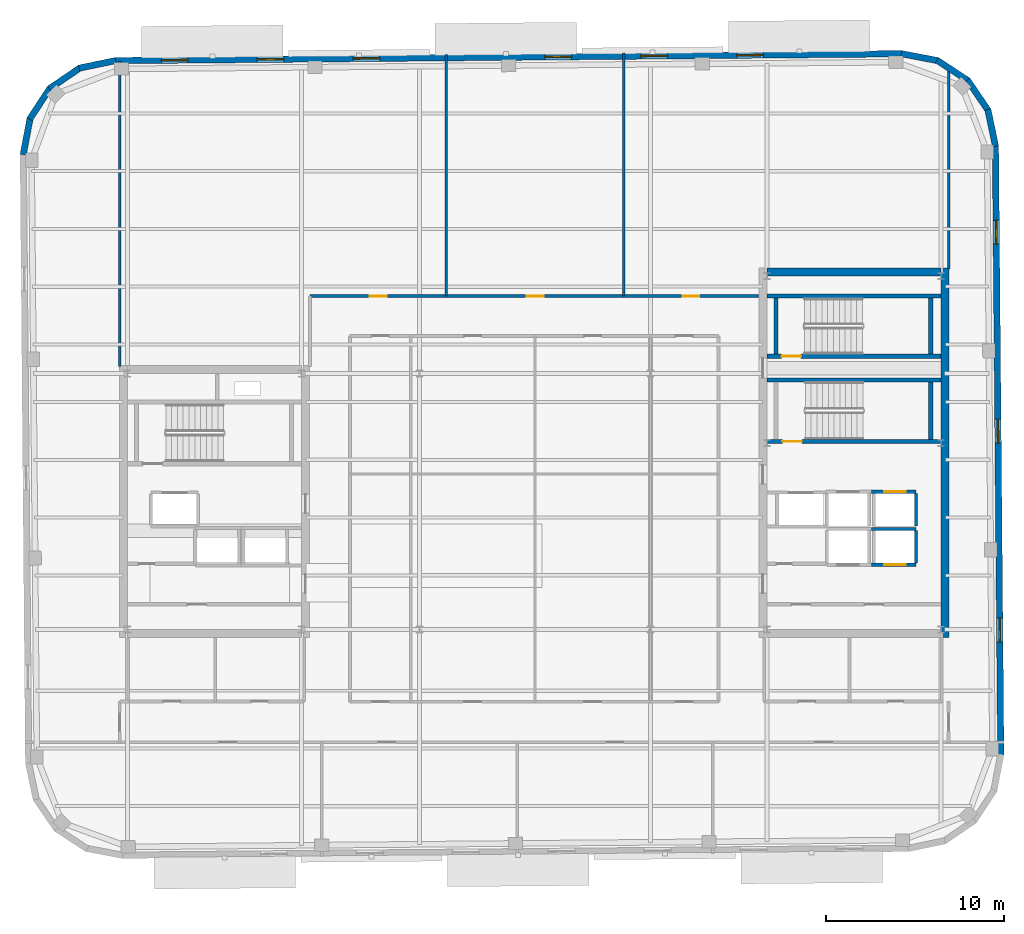
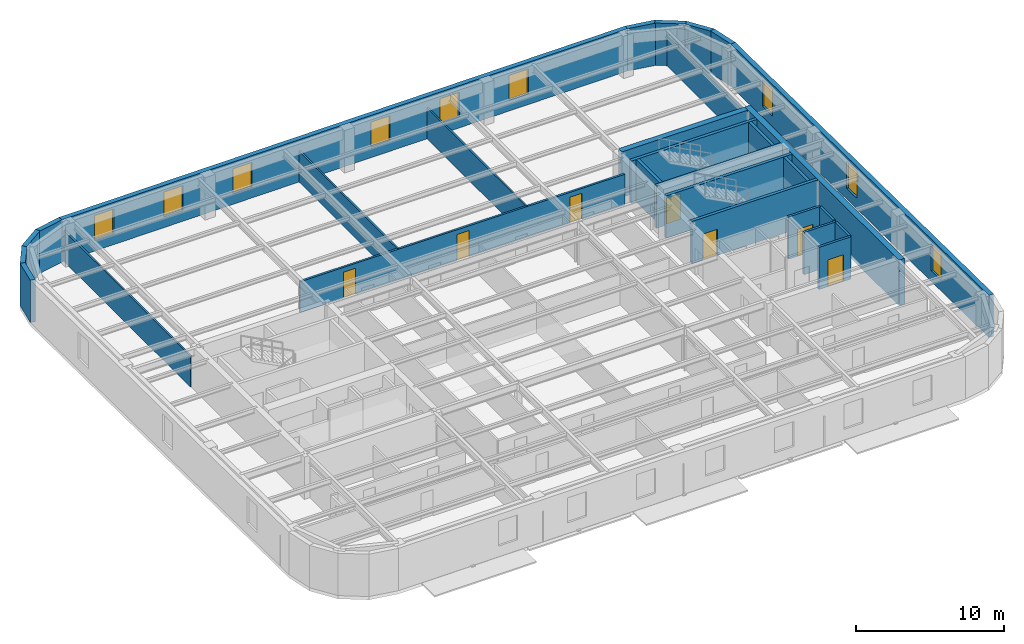
# One storey, part 9 of 14: 29 walls, 9 windows, 7 doors, 16 openings.
"""IFC4 building model written with IfcOpenShell, lengths in metres."""

import ifcopenshell
import ifcopenshell.guid

model = None  # the IFC model being written
_history = None  # IfcOwnerHistory: only IFC2X3 demands one
_inside = {}  # id of a spatial element -> (the spatial element, [elements in it])
_under = {}  # id of a project, library or spatial element -> (it, [spatial elements below it])
_declared = {}  # id of a project -> (the project, [libraries it declares])
_typed = {}  # id of a type object -> (the type object, [elements of that type])
_made_of = {}  # id of a material, layer set ... -> (it, [elements and type objects made of it])


def new_model(schema):
    """Start an empty IFC model of exactly this schema.

    Asked for "IFC4X3", IfcOpenShell would pick the latest addendum, in which some entities
    have other attributes; the version numbers below select the first issue.
    IFC2X3 requires an IfcOwnerHistory on every rooted entity: one is made here for all.
    """
    global model, _history
    if schema == "IFC4X3":
        model = ifcopenshell.file(schema_version=(4, 3, 0, 0))
    else:
        model = ifcopenshell.file(schema=schema)
    _inside.clear()
    _under.clear()
    _declared.clear()
    _typed.clear()
    _made_of.clear()
    _history = None
    if model.schema == "IFC2X3":
        org = make("IfcOrganization", Name="unknown")
        user = make(
            "IfcPersonAndOrganization",
            ThePerson=make("IfcPerson", FamilyName="unknown"),
            TheOrganization=org,
        )
        app = make(
            "IfcApplication",
            ApplicationDeveloper=org,
            Version="unknown",
            ApplicationFullName="unknown",
            ApplicationIdentifier="unknown",
        )
        _history = make(
            "IfcOwnerHistory",
            OwningUser=user,
            OwningApplication=app,
            ChangeAction="ADDED",
            CreationDate=0,
        )
    return model


def make(cls, **values):
    """One entity of the class cls with the attributes given. An attribute that is None is left unset."""
    return model.create_entity(
        cls, **{name: value for name, value in values.items() if value is not None}
    )


def rooted(cls, **values):
    """An entity with a GlobalId (a new one), such as an element, a storey or a relation."""
    return make(cls, GlobalId=ifcopenshell.guid.new(), OwnerHistory=_history, **values)


def si_unit(unit_type, name, prefix=None):
    """IfcSIUnit, for example si_unit("LENGTHUNIT", "METRE", prefix="MILLI")."""
    return make("IfcSIUnit", UnitType=unit_type, Prefix=prefix, Name=name)


def assignment(units):
    """IfcUnitAssignment: the units of a project."""
    return None if units is None else make("IfcUnitAssignment", Units=units)


def point(xyz):
    """IfcCartesianPoint."""
    return None if xyz is None else make("IfcCartesianPoint", Coordinates=xyz)


def direction(xyz):
    """IfcDirection."""
    return None if xyz is None else make("IfcDirection", DirectionRatios=xyz)


def frame(location, z_axis=None, x_axis=None):
    """IfcAxis2Placement3D, a coordinate frame: its origin and axes. An axis left out is left unset."""
    return make(
        "IfcAxis2Placement3D",
        Location=point(location),
        Axis=direction(z_axis),
        RefDirection=direction(x_axis),
    )


def frame_2d(location, x_axis=None):
    """IfcAxis2Placement2D, a coordinate frame in the plane: its origin and x axis."""
    return make(
        "IfcAxis2Placement2D", Location=point(location), RefDirection=direction(x_axis)
    )


def origin():
    """The frame at (0, 0, 0) with its axes left unset."""
    return frame((0.0, 0.0, 0.0))


def place(relative_to, where):
    """IfcLocalPlacement: puts the frame where relative to a parent placement (None: the world)."""
    return make(
        "IfcLocalPlacement", PlacementRelTo=relative_to, RelativePlacement=where
    )


def context(
    kind, dimensions, precision=None, world=None, true_north=None, identifier=None
):
    """IfcGeometricRepresentationContext, for example the 3D "Model" context."""
    return make(
        "IfcGeometricRepresentationContext",
        ContextIdentifier=identifier,
        ContextType=kind,
        CoordinateSpaceDimension=dimensions,
        Precision=precision,
        WorldCoordinateSystem=world,
        TrueNorth=true_north,
    )


def subcontext(parent, identifier, kind, view, scale=None):
    """IfcGeometricRepresentationSubContext, for example "Body" below "Model"."""
    return make(
        "IfcGeometricRepresentationSubContext",
        ContextIdentifier=identifier,
        ContextType=kind,
        ParentContext=parent,
        TargetScale=scale,
        TargetView=view,
    )


def project(units=None, contexts=None):
    """IfcProject with its units and contexts."""
    return rooted(
        "IfcProject",
        Name="project",
        RepresentationContexts=contexts,
        UnitsInContext=assignment(units),
    )


def spatial(cls, under=None, at=None, **own):
    """A site, building, storey or space (cls), placed at a placement, below another one or the project."""
    s = rooted(cls, ObjectPlacement=at, **own)
    if under is not None:
        _under.setdefault(under.id(), (under, []))[1].append(s)
    return s


def profile(cls, at=None, kind="AREA", **sizes):
    """A parametric profile (cls). Its sizes go by their IFC names, for example OverallWidth=200.0."""
    return make(cls, ProfileType=kind, Position=at, **sizes)


def rectangle(**sizes):
    """IfcRectangleProfileDef."""
    return profile("IfcRectangleProfileDef", **sizes)


def extrude(swept, where, along, depth):
    """IfcExtrudedAreaSolid: the profile swept, set in the frame where, extruded along a direction by depth."""
    return make(
        "IfcExtrudedAreaSolid",
        SweptArea=swept,
        Position=where,
        ExtrudedDirection=direction(along),
        Depth=depth,
    )


def shape(context_of_items, identifier, shape_type, items):
    """IfcShapeRepresentation: the items that make up one representation, for example the "Body"."""
    return make(
        "IfcShapeRepresentation",
        ContextOfItems=context_of_items,
        RepresentationIdentifier=identifier,
        RepresentationType=shape_type,
        Items=items,
    )


def material(Name=None, Category=None):
    """IfcMaterial."""
    return make("IfcMaterial", Name=Name, Category=Category)


def layer(
    of_material, thickness, ventilated=None, Name=None, Category=None, Priority=None
):
    """IfcMaterialLayer: one layer of a wall or slab, of a material (None: an air gap)."""
    return make(
        "IfcMaterialLayer",
        Material=of_material,
        LayerThickness=thickness,
        IsVentilated=ventilated,
        Name=Name,
        Category=Category,
        Priority=Priority,
    )


def layer_set(layers, Name=None):
    """IfcMaterialLayerSet."""
    return make("IfcMaterialLayerSet", MaterialLayers=layers, LayerSetName=Name)


def made_of(thing, what):
    """Note that an element or type object is made of a material, layer set ...; save() writes the relation."""
    if what is not None:
        _made_of.setdefault(what.id(), (what, []))[1].append(thing)
    return thing


def type_object(cls, material=None, **own):
    """A type object (cls), such as IfcWallType, which elements share."""
    return made_of(rooted(cls, **own), material)


def element(
    cls,
    number,
    at=None,
    inside=None,
    cuts=None,
    type_object=None,
    material=None,
    context=None,
    identifier="Body",
    shape_type=None,
    held_by="IfcProductDefinitionShape",
    body=None,
    shapes=None,
    **own,
):
    """One element of the class cls, such as IfcWall. Its Tag is "e" and its number.

    at: its placement. inside: the storey or other place that contains it. cuts: it is an
    opening in that element (IfcRelVoidsElement). A single representation is given by context,
    identifier, shape_type and body (its items); several are given by shapes. held_by: the class
    of the entity that holds the representations. save() writes the other relations.
    """
    e = rooted(cls, Tag="e%d" % number, ObjectPlacement=at, **own)
    if body is not None:
        shapes = [shape(context, identifier, shape_type, body)]
    if shapes is not None:
        e.Representation = make(held_by, Representations=shapes)
    if inside is not None:
        _inside.setdefault(inside.id(), (inside, []))[1].append(e)
    if cuts is not None:
        rooted(
            "IfcRelVoidsElement", RelatingBuildingElement=cuts, RelatedOpeningElement=e
        )
    if type_object is not None:
        _typed.setdefault(type_object.id(), (type_object, []))[1].append(e)
    return made_of(e, material)


def fill(opening, filler):
    """IfcRelFillsElement: the door or window that sits in an opening."""
    return rooted(
        "IfcRelFillsElement",
        RelatingOpeningElement=opening,
        RelatedBuildingElement=filler,
    )


def aggregate(whole, parts):
    """IfcRelAggregates: a whole, such as a stair, and the parts it consists of."""
    return rooted("IfcRelAggregates", RelatingObject=whole, RelatedObjects=parts)


def save(model, path):
    """Write the relations noted so far, then the file.

    IfcRelAggregates (storeys below a building ...), IfcRelContainedInSpatialStructure (elements
    in a storey), IfcRelDefinesByType, IfcRelAssociatesMaterial and IfcRelDeclares: one each for
    every whole, place, type object, material and project.
    """
    for whole, parts in _under.values():
        aggregate(whole, parts)
    for where, things in _inside.values():
        rooted(
            "IfcRelContainedInSpatialStructure",
            RelatedElements=things,
            RelatingStructure=where,
        )
    for kind, things in _typed.values():
        rooted("IfcRelDefinesByType", RelatedObjects=things, RelatingType=kind)
    for what, things in _made_of.values():
        rooted("IfcRelAssociatesMaterial", RelatedObjects=things, RelatingMaterial=what)
    for by, libraries in _declared.values():
        rooted("IfcRelDeclares", RelatingContext=by, RelatedDefinitions=libraries)
    model.write(path)


model = new_model("IFC4")

# Units and contexts
model_context = context("Model", 3, precision=1e-05, world=origin(), true_north=direction((0.0, 1.0)))
body_context = subcontext(model_context, "Body", "Model", "MODEL_VIEW")
ifc_project = project(units=[si_unit("LENGTHUNIT", "METRE"), si_unit("AREAUNIT", "SQUARE_METRE"), si_unit("VOLUMEUNIT", "CUBIC_METRE"), si_unit("PLANEANGLEUNIT", "RADIAN"), si_unit("MASSUNIT", "GRAM", prefix="KILO")], contexts=[model_context])

# Site, building, storey
site_placement = place(None, origin())
site = spatial("IfcSite", under=ifc_project, at=site_placement, CompositionType="ELEMENT")
building_placement = place(site_placement, origin())
building = spatial("IfcBuilding", under=site, at=building_placement, Name="Kolvaren Arena Tower", CompositionType="ELEMENT")
storey_placement = place(building_placement, frame((0.0, 0.0, 289.89990234375)))
storey = spatial("IfcBuildingStorey", under=building, at=storey_placement, Name="L71", CompositionType="ELEMENT", Elevation=289.89990234375)

# Wall, openings, doors
ifc_material_1 = material(Name="Gypsum board acoustic assembly", Category="gypsum")
ifc_layer_1 = layer(ifc_material_1, 0.159912109375)
ifc_layer_set_1 = layer_set([ifc_layer_1], Name="Gypsum board acoustic assembly")
wall_type_1 = type_object("IfcWallType", Name="CORR-160", PredefinedType="PARTITIONING", material=ifc_layer_set_1)
wall_1_placement = place(storey_placement, frame((24.820068359375, 38.219970703125, 0.0), z_axis=(0.0, 0.0, 1.0), x_axis=(1.0, 0.0, 0.0)))
wall_1 = element("IfcWall", 1, at=wall_1_placement, inside=storey, type_object=wall_type_1, Name="Interior Partition Wall (L71)", PredefinedType="PARTITIONING", context=body_context, shape_type="SweptSolid", body=[
    extrude(rectangle(XDim=25.260009765625, YDim=0.159912109375, at=frame_2d((12.6298828125, 0.0))), origin(), (0.0, 0.0, 1.0), 2.5400390625),
])
opening_1_placement = place(wall_1_placement, frame((3.3798828125, 0.0, 0.0)))
opening_1 = element("IfcOpeningElement", 2, at=opening_1_placement, cuts=wall_1, Name="Opening D05", PredefinedType="OPENING", context=body_context, shape_type="SweptSolid", body=[
    extrude(rectangle(XDim=0.949951171875, YDim=2.14990234375, at=frame_2d((0.47509765625, 1.074951171875))), frame((0.0, 0.08984375, 0.0), z_axis=(0.0, -1.0, 0.0), x_axis=(1.0, 0.0, 0.0)), (0.0, 0.0, 1.0), 0.179931640625),
])
opening_2_placement = place(wall_1_placement, frame((12.205078125, 0.0, 0.0)))
opening_2 = element("IfcOpeningElement", 3, at=opening_2_placement, cuts=wall_1, Name="Opening D05", PredefinedType="OPENING", context=body_context, shape_type="SweptSolid", body=[
    extrude(rectangle(XDim=0.949951171875, YDim=2.14990234375, at=frame_2d((0.47509765625, 1.074951171875))), frame((0.0, 0.08984375, 0.0), z_axis=(0.0, -1.0, 0.0), x_axis=(1.0, 0.0, 0.0)), (0.0, 0.0, 1.0), 0.179931640625),
])
opening_3_placement = place(wall_1_placement, frame((20.97998046875, 0.0, 0.0)))
opening_3 = element("IfcOpeningElement", 4, at=opening_3_placement, cuts=wall_1, Name="Opening D05", PredefinedType="OPENING", context=body_context, shape_type="SweptSolid", body=[
    extrude(rectangle(XDim=0.949951171875, YDim=2.14990234375, at=frame_2d((0.47509765625, 1.074951171875))), frame((0.0, 0.08984375, 0.0), z_axis=(0.0, -1.0, 0.0), x_axis=(1.0, 0.0, 0.0)), (0.0, 0.0, 1.0), 0.179931640625),
])
ifc_material_2 = material(Name="Solid-core oak acoustic office door", Category="wood")
door_type_1 = type_object("IfcDoorType", Name="DOOR-OF-095", OperationType="NOTDEFINED", PredefinedType="DOOR", material=ifc_material_2)
door_1_placement = place(opening_1_placement, origin())
door_1 = element("IfcDoor", 5, at=door_1_placement, inside=storey, type_object=door_type_1, Name="Corporate Project Office Door (L71)", OperationType="SINGLE_SWING_LEFT", OverallHeight=2.14990234375, OverallWidth=0.949951171875, PredefinedType="DOOR", context=body_context, shape_type="SweptSolid", body=[
    extrude(rectangle(XDim=0.949951171875, YDim=2.14990234375, at=frame_2d((0.47509765625, 1.074951171875))), frame((0.0, 0.02490234375, 0.0), z_axis=(0.0, -1.0, 0.0), x_axis=(1.0, 0.0, 0.0)), (0.0, 0.0, 1.0), 0.050048828125),
])
fill(opening_1, door_1)
door_2_placement = place(opening_2_placement, origin())
door_2 = element("IfcDoor", 6, at=door_2_placement, inside=storey, type_object=door_type_1, Name="Breakout Pantry and Kitchen Door (L71)", OperationType="SINGLE_SWING_RIGHT", OverallHeight=2.14990234375, OverallWidth=0.949951171875, PredefinedType="DOOR", context=body_context, shape_type="SweptSolid", body=[
    extrude(rectangle(XDim=0.949951171875, YDim=2.14990234375, at=frame_2d((0.47509765625, 1.074951171875))), frame((0.0, 0.02490234375, 0.0), z_axis=(0.0, -1.0, 0.0), x_axis=(1.0, 0.0, 0.0)), (0.0, 0.0, 1.0), 0.050048828125),
])
fill(opening_2, door_2)
door_3_placement = place(opening_3_placement, origin())
door_3 = element("IfcDoor", 7, at=door_3_placement, inside=storey, type_object=door_type_1, Name="Open Plan Office Door (L71)", OperationType="SINGLE_SWING_LEFT", OverallHeight=2.14990234375, OverallWidth=0.949951171875, PredefinedType="DOOR", context=body_context, shape_type="SweptSolid", body=[
    extrude(rectangle(XDim=0.949951171875, YDim=2.14990234375, at=frame_2d((0.47509765625, 1.074951171875))), frame((0.0, 0.02490234375, 0.0), z_axis=(0.0, -1.0, 0.0), x_axis=(1.0, 0.0, 0.0)), (0.0, 0.0, 1.0), 0.050048828125),
])
fill(opening_3, door_3)

# Walls
ifc_material_3 = material(Name="Concrete 55 MPa", Category="concrete")
ifc_layer_2 = layer(ifc_material_3, 0.449951171875)
ifc_layer_set_2 = layer_set([ifc_layer_2], Name="Concrete 55 MPa")
wall_type_2 = type_object("IfcWallType", Name="CWALL-450", PredefinedType="SHEAR", material=ifc_layer_set_2)
wall_2_placement = place(storey_placement, frame((60.574951171875, 19.0, -0.27001953125), z_axis=(0.0, 0.0, 1.0), x_axis=(0.0, 1.0, 0.0)))
element("IfcWall", 8, at=wall_2_placement, inside=storey, type_object=wall_type_2, Name="Core Shear Wall EC-EAST (L71)", PredefinedType="SHEAR", context=body_context, shape_type="SweptSolid", body=[
    extrude(rectangle(XDim=20.800048828125, YDim=0.449951171875, at=frame_2d((10.39990234375, 0.0))), origin(), (0.0, 0.0, 1.0), 3.75),
])
wall_3_placement = place(storey_placement, frame((50.550048828125, 39.574951171875, -0.27001953125), z_axis=(0.0, 0.0, 1.0), x_axis=(1.0, 0.0, 0.0)))
element("IfcWall", 9, at=wall_3_placement, inside=storey, type_object=wall_type_2, Name="Core Shear Wall EC-NORTH (L71)", PredefinedType="SHEAR", context=body_context, shape_type="SweptSolid", body=[
    extrude(rectangle(XDim=9.800048828125, YDim=0.449951171875, at=frame_2d((4.89990234375, 0.0))), origin(), (0.0, 0.0, 1.0), 3.75),
])

# Wall, openings, windows
ifc_material_4 = material(Name="Precast concrete C50/60", Category="concrete")
ifc_layer_3 = layer(ifc_material_4, 0.360107421875)
ifc_layer_set_3 = layer_set([ifc_layer_3], Name="Precast concrete C50/60")
wall_type_3 = type_object("IfcWallType", Name="EXT-PIER2", PredefinedType="SOLIDWALL", material=ifc_layer_set_3)
wall_4_placement = place(storey_placement, frame((63.419189453125, 46.688232421875, 0.0), z_axis=(0.0, 0.0, 1.0), x_axis=(0.008726391715, -0.999961924319, 0.0)))
wall_4 = element("IfcWall", 10, at=wall_4_placement, inside=storey, type_object=wall_type_3, Name="Exterior Precast Masonry-Frame Wall (L71)", PredefinedType="SOLIDWALL", context=body_context, shape_type="SweptSolid", body=[
    extrude(rectangle(XDim=34.300048828125, YDim=0.360107421875, at=frame_2d((17.14990234375, 0.0))), origin(), (0.0, 0.0, 1.0), 3.47998046875),
])
opening_4_placement = place(wall_4_placement, frame((4.199951171875, 0.0, 0.8798828125)))
opening_4 = element("IfcOpeningElement", 11, at=opening_4_placement, cuts=wall_4, Name="Opening W04", PredefinedType="OPENING", context=body_context, shape_type="SweptSolid", body=[
    extrude(rectangle(XDim=1.35009765625, YDim=2.199951171875, at=frame_2d((0.675048828125, 1.10009765625))), frame((0.0, 0.18994140625, 0.0), z_axis=(0.0, -1.0, 0.0), x_axis=(1.0, 0.0, 0.0)), (0.0, 0.0, 1.0), 0.380126953125),
])
opening_5_placement = place(wall_4_placement, frame((15.39990234375, 0.0, 0.8798828125)))
opening_5 = element("IfcOpeningElement", 12, at=opening_5_placement, cuts=wall_4, Name="Opening W04", PredefinedType="OPENING", context=body_context, shape_type="SweptSolid", body=[
    extrude(rectangle(XDim=1.35009765625, YDim=2.199951171875, at=frame_2d((0.675048828125, 1.10009765625))), frame((0.0, 0.18994140625, 0.0), z_axis=(0.0, -1.0, 0.0), x_axis=(1.0, 0.0, 0.0)), (0.0, 0.0, 1.0), 0.380126953125),
])
opening_6_placement = place(wall_4_placement, frame((26.60009765625, 0.0, 0.8798828125)))
opening_6 = element("IfcOpeningElement", 13, at=opening_6_placement, cuts=wall_4, Name="Opening W04", PredefinedType="OPENING", context=body_context, shape_type="SweptSolid", body=[
    extrude(rectangle(XDim=1.35009765625, YDim=2.199951171875, at=frame_2d((0.675048828125, 1.10009765625))), frame((0.0, 0.18994140625, 0.0), z_axis=(0.0, -1.0, 0.0), x_axis=(1.0, 0.0, 0.0)), (0.0, 0.0, 1.0), 0.380126953125),
])
ifc_material_5 = material(Name="Triple-glazed curved-facet corner window", Category="glass")
window_type_1 = type_object("IfcWindowType", Name="WIN-CRN-A", PartitioningType="SINGLE_PANEL", PredefinedType="WINDOW", material=ifc_material_5)
window_1_placement = place(opening_4_placement, origin())
window_1 = element("IfcWindow", 14, at=window_1_placement, inside=storey, type_object=window_type_1, Name="End-Wall Punched Window (L71)", OverallHeight=2.199951171875, OverallWidth=1.35009765625, PartitioningType="SINGLE_PANEL", PredefinedType="WINDOW", context=body_context, shape_type="SweptSolid", body=[
    extrude(rectangle(XDim=1.35009765625, YDim=2.199951171875, at=frame_2d((0.675048828125, 1.10009765625))), frame((0.0, 0.030029296875, 0.0), z_axis=(0.0, -1.0, 0.0), x_axis=(1.0, 0.0, 0.0)), (0.0, 0.0, 1.0), 0.06005859375),
])
fill(opening_4, window_1)
window_2_placement = place(opening_5_placement, origin())
window_2 = element("IfcWindow", 15, at=window_2_placement, inside=storey, type_object=window_type_1, Name="End-Wall Punched Window (L71)", OverallHeight=2.199951171875, OverallWidth=1.35009765625, PartitioningType="SINGLE_PANEL", PredefinedType="WINDOW", context=body_context, shape_type="SweptSolid", body=[
    extrude(rectangle(XDim=1.35009765625, YDim=2.199951171875, at=frame_2d((0.675048828125, 1.10009765625))), frame((0.0, 0.030029296875, 0.0), z_axis=(0.0, -1.0, 0.0), x_axis=(1.0, 0.0, 0.0)), (0.0, 0.0, 1.0), 0.06005859375),
])
fill(opening_5, window_2)
window_3_placement = place(opening_6_placement, origin())
window_3 = element("IfcWindow", 16, at=window_3_placement, inside=storey, type_object=window_type_1, Name="End-Wall Punched Window (L71)", OverallHeight=2.199951171875, OverallWidth=1.35009765625, PartitioningType="SINGLE_PANEL", PredefinedType="WINDOW", context=body_context, shape_type="SweptSolid", body=[
    extrude(rectangle(XDim=1.35009765625, YDim=2.199951171875, at=frame_2d((0.675048828125, 1.10009765625))), frame((0.0, 0.030029296875, 0.0), z_axis=(0.0, -1.0, 0.0), x_axis=(1.0, 0.0, 0.0)), (0.0, 0.0, 1.0), 0.06005859375),
])
fill(opening_6, window_3)

# Walls
for number, where, z_axis, x_axis, name in (
    (17, (62.993896484375, 48.7158203125, 0.0), (0.0, 0.0, 1.0), (0.203709000552, -0.979031482177, 0.0), "Exterior Precast Masonry-Frame Wall (L71)"),
    (18, (61.835693359375, 50.392822265625, 0.0), (0.0, 0.0, 1.0), (0.562829722645, -0.826572866302, 0.0), "Exterior Precast Masonry-Frame Wall (L71)"),
):
    element("IfcWall", number, at=place(storey_placement, frame(where, z_axis=z_axis, x_axis=x_axis)), inside=storey, type_object=wall_type_3, Name=name, PredefinedType="SOLIDWALL", context=body_context, shape_type="SweptSolid", body=[
        extrude(rectangle(XDim=2.10693359375, YDim=0.360107421875, at=frame_2d((1.053466796875, 0.0))), origin(), (0.0, 0.0, 1.0), 3.47998046875),
    ])
for number, where, z_axis, x_axis, name in (
    (19, (60.123779296875, 51.498779296875, 0.0), (0.0, 0.0, 1.0), (0.83632188969, -0.548238722478, 0.0), "Exterior Precast Masonry-Frame Wall (L71)"),
    (20, (58.118896484375, 51.865478515625, 0.0), (0.0, 0.0, 1.0), (0.982463107022, -0.186457081764, 0.0), "Exterior Precast Masonry-Frame Wall (L71)"),
):
    element("IfcWall", number, at=place(storey_placement, frame(where, z_axis=z_axis, x_axis=x_axis)), inside=storey, type_object=wall_type_3, Name=name, PredefinedType="SOLIDWALL", context=body_context, shape_type="SweptSolid", body=[
        extrude(rectangle(XDim=2.106689453125, YDim=0.360107421875, at=frame_2d((1.05322265625, 0.0))), origin(), (0.0, 0.0, 1.0), 3.47998046875),
    ])

# Wall, openings, windows
wall_5_placement = place(storey_placement, frame((13.855712890625, 51.475830078125, 0.0), z_axis=(0.0, 0.0, 1.0), x_axis=(0.999961944954, 0.008724026757, 0.0)))
wall_5 = element("IfcWall", 21, at=wall_5_placement, inside=storey, type_object=wall_type_3, Name="Exterior Precast Masonry-Frame Wall (L71)", PredefinedType="SOLIDWALL", context=body_context, shape_type="SweptSolid", body=[
    extrude(rectangle(XDim=44.300048828125, YDim=0.360107421875, at=frame_2d((22.14990234375, 0.0))), origin(), (0.0, 0.0, 1.0), 3.47998046875),
])
opening_7_placement = place(wall_5_placement, frame((2.60009765625, 0.0, 0.8798828125)))
opening_7 = element("IfcOpeningElement", 22, at=opening_7_placement, cuts=wall_5, Name="Opening W03", PredefinedType="OPENING", context=body_context, shape_type="SweptSolid", body=[
    extrude(rectangle(XDim=1.5, YDim=2.050048828125, at=frame_2d((0.75, 1.02490234375))), frame((0.0, 0.18994140625, 0.0), z_axis=(0.0, -1.0, 0.0), x_axis=(1.0, 0.0, 0.0)), (0.0, 0.0, 1.0), 0.380126953125),
])
opening_8_placement = place(wall_5_placement, frame((8.0, 0.0, 0.8798828125)))
opening_8 = element("IfcOpeningElement", 23, at=opening_8_placement, cuts=wall_5, Name="Opening W03", PredefinedType="OPENING", context=body_context, shape_type="SweptSolid", body=[
    extrude(rectangle(XDim=1.5, YDim=2.050048828125, at=frame_2d((0.75, 1.02490234375))), frame((0.0, 0.18994140625, 0.0), z_axis=(0.0, -1.0, 0.0), x_axis=(1.0, 0.0, 0.0)), (0.0, 0.0, 1.0), 0.380126953125),
])
opening_9_placement = place(wall_5_placement, frame((13.39990234375, 0.0, 0.8798828125)))
opening_9 = element("IfcOpeningElement", 24, at=opening_9_placement, cuts=wall_5, Name="Opening W03", PredefinedType="OPENING", context=body_context, shape_type="SweptSolid", body=[
    extrude(rectangle(XDim=1.5, YDim=2.050048828125, at=frame_2d((0.75, 1.02490234375))), frame((0.0, 0.18994140625, 0.0), z_axis=(0.0, -1.0, 0.0), x_axis=(1.0, 0.0, 0.0)), (0.0, 0.0, 1.0), 0.380126953125),
])
opening_10_placement = place(wall_5_placement, frame((24.199951171875, 0.0, 0.8798828125)))
opening_10 = element("IfcOpeningElement", 25, at=opening_10_placement, cuts=wall_5, Name="Opening W03", PredefinedType="OPENING", context=body_context, shape_type="SweptSolid", body=[
    extrude(rectangle(XDim=1.5, YDim=2.050048828125, at=frame_2d((0.75, 1.02490234375))), frame((0.0, 0.18994140625, 0.0), z_axis=(0.0, -1.0, 0.0), x_axis=(1.0, 0.0, 0.0)), (0.0, 0.0, 1.0), 0.380126953125),
])
opening_11_placement = place(wall_5_placement, frame((29.60009765625, 0.0, 0.8798828125)))
opening_11 = element("IfcOpeningElement", 26, at=opening_11_placement, cuts=wall_5, Name="Opening W03", PredefinedType="OPENING", context=body_context, shape_type="SweptSolid", body=[
    extrude(rectangle(XDim=1.5, YDim=2.050048828125, at=frame_2d((0.75, 1.02490234375))), frame((0.0, 0.18994140625, 0.0), z_axis=(0.0, -1.0, 0.0), x_axis=(1.0, 0.0, 0.0)), (0.0, 0.0, 1.0), 0.380126953125),
])
opening_12_placement = place(wall_5_placement, frame((35.0, 0.0, 0.8798828125)))
opening_12 = element("IfcOpeningElement", 27, at=opening_12_placement, cuts=wall_5, Name="Opening W03", PredefinedType="OPENING", context=body_context, shape_type="SweptSolid", body=[
    extrude(rectangle(XDim=1.5, YDim=2.050048828125, at=frame_2d((0.75, 1.02490234375))), frame((0.0, 0.18994140625, 0.0), z_axis=(0.0, -1.0, 0.0), x_axis=(1.0, 0.0, 0.0)), (0.0, 0.0, 1.0), 0.380126953125),
])
ifc_material_6 = material(Name="Triple-glazed low-E aluminium window", Category="aluminium")
window_type_2 = type_object("IfcWindowType", Name="WIN-OFF-C", PartitioningType="SINGLE_PANEL", PredefinedType="WINDOW", material=ifc_material_6)
window_4_placement = place(opening_7_placement, origin())
window_4 = element("IfcWindow", 28, at=window_4_placement, inside=storey, type_object=window_type_2, Name="Punched Precast-Pier Window (L71)", OverallHeight=2.050048828125, OverallWidth=1.5, PartitioningType="SINGLE_PANEL", PredefinedType="WINDOW", context=body_context, shape_type="SweptSolid", body=[
    extrude(rectangle(XDim=1.5, YDim=2.050048828125, at=frame_2d((0.75, 1.02490234375))), frame((0.0, 0.030029296875, 0.0), z_axis=(0.0, -1.0, 0.0), x_axis=(1.0, 0.0, 0.0)), (0.0, 0.0, 1.0), 0.06005859375),
])
fill(opening_7, window_4)
window_5_placement = place(opening_8_placement, origin())
window_5 = element("IfcWindow", 29, at=window_5_placement, inside=storey, type_object=window_type_2, Name="Punched Precast-Pier Window (L71)", OverallHeight=2.050048828125, OverallWidth=1.5, PartitioningType="SINGLE_PANEL", PredefinedType="WINDOW", context=body_context, shape_type="SweptSolid", body=[
    extrude(rectangle(XDim=1.5, YDim=2.050048828125, at=frame_2d((0.75, 1.02490234375))), frame((0.0, 0.030029296875, 0.0), z_axis=(0.0, -1.0, 0.0), x_axis=(1.0, 0.0, 0.0)), (0.0, 0.0, 1.0), 0.06005859375),
])
fill(opening_8, window_5)
window_6_placement = place(opening_9_placement, origin())
window_6 = element("IfcWindow", 30, at=window_6_placement, inside=storey, type_object=window_type_2, Name="Punched Precast-Pier Window (L71)", OverallHeight=2.050048828125, OverallWidth=1.5, PartitioningType="SINGLE_PANEL", PredefinedType="WINDOW", context=body_context, shape_type="SweptSolid", body=[
    extrude(rectangle(XDim=1.5, YDim=2.050048828125, at=frame_2d((0.75, 1.02490234375))), frame((0.0, 0.030029296875, 0.0), z_axis=(0.0, -1.0, 0.0), x_axis=(1.0, 0.0, 0.0)), (0.0, 0.0, 1.0), 0.06005859375),
])
fill(opening_9, window_6)
window_7_placement = place(opening_10_placement, origin())
window_7 = element("IfcWindow", 31, at=window_7_placement, inside=storey, type_object=window_type_2, Name="Punched Precast-Pier Window (L71)", OverallHeight=2.050048828125, OverallWidth=1.5, PartitioningType="SINGLE_PANEL", PredefinedType="WINDOW", context=body_context, shape_type="SweptSolid", body=[
    extrude(rectangle(XDim=1.5, YDim=2.050048828125, at=frame_2d((0.75, 1.02490234375))), frame((0.0, 0.030029296875, 0.0), z_axis=(0.0, -1.0, 0.0), x_axis=(1.0, 0.0, 0.0)), (0.0, 0.0, 1.0), 0.06005859375),
])
fill(opening_10, window_7)
window_8_placement = place(opening_11_placement, origin())
window_8 = element("IfcWindow", 32, at=window_8_placement, inside=storey, type_object=window_type_2, Name="Punched Precast-Pier Window (L71)", OverallHeight=2.050048828125, OverallWidth=1.5, PartitioningType="SINGLE_PANEL", PredefinedType="WINDOW", context=body_context, shape_type="SweptSolid", body=[
    extrude(rectangle(XDim=1.5, YDim=2.050048828125, at=frame_2d((0.75, 1.02490234375))), frame((0.0, 0.030029296875, 0.0), z_axis=(0.0, -1.0, 0.0), x_axis=(1.0, 0.0, 0.0)), (0.0, 0.0, 1.0), 0.06005859375),
])
fill(opening_11, window_8)
window_9_placement = place(opening_12_placement, origin())
window_9 = element("IfcWindow", 33, at=window_9_placement, inside=storey, type_object=window_type_2, Name="Punched Precast-Pier Window (L71)", OverallHeight=2.050048828125, OverallWidth=1.5, PartitioningType="SINGLE_PANEL", PredefinedType="WINDOW", context=body_context, shape_type="SweptSolid", body=[
    extrude(rectangle(XDim=1.5, YDim=2.050048828125, at=frame_2d((0.75, 1.02490234375))), frame((0.0, 0.030029296875, 0.0), z_axis=(0.0, -1.0, 0.0), x_axis=(1.0, 0.0, 0.0)), (0.0, 0.0, 1.0), 0.06005859375),
])
fill(opening_12, window_9)

# Walls
for number, where, z_axis, x_axis, name in (
    (34, (11.827880859375, 51.050537109375, 0.0), (0.0, 0.0, 1.0), (0.97905458633, 0.203597929717, 0.0), "Exterior Precast Masonry-Frame Wall (L71)"),
    (35, (10.15087890625, 49.89208984375, 0.0), (0.0, 0.0, 1.0), (0.826609569219, 0.56277581689, 0.0), "Exterior Precast Masonry-Frame Wall (L71)"),
):
    element("IfcWall", number, at=place(storey_placement, frame(where, z_axis=z_axis, x_axis=x_axis)), inside=storey, type_object=wall_type_3, Name=name, PredefinedType="SOLIDWALL", context=body_context, shape_type="SweptSolid", body=[
        extrude(rectangle(XDim=2.10693359375, YDim=0.360107421875, at=frame_2d((1.053466796875, 0.0))), origin(), (0.0, 0.0, 1.0), 3.47998046875),
    ])
for number, where, z_axis, x_axis, name in (
    (36, (9.044921875, 48.18017578125, 0.0), (0.0, 0.0, 1.0), (0.548266637224, 0.836303589916, 0.0), "Exterior Precast Masonry-Frame Wall (L71)"),
    (37, (8.67822265625, 46.17529296875, 0.0), (0.0, 0.0, 1.0), (0.186547695246, 0.982445905584, 0.0), "Exterior Precast Masonry-Frame Wall (L71)"),
):
    element("IfcWall", number, at=place(storey_placement, frame(where, z_axis=z_axis, x_axis=x_axis)), inside=storey, type_object=wall_type_3, Name=name, PredefinedType="SOLIDWALL", context=body_context, shape_type="SweptSolid", body=[
        extrude(rectangle(XDim=2.107177734375, YDim=0.360107421875, at=frame_2d((1.0537109375, 0.0))), origin(), (0.0, 0.0, 1.0), 3.47998046875),
    ])
ifc_material_7 = material(Name="Gypsum board partition assembly", Category="gypsum")
ifc_layer_4 = layer(ifc_material_7, 0.135009765625)
ifc_layer_set_4 = layer_set([ifc_layer_4], Name="Gypsum board partition assembly")
wall_type_4 = type_object("IfcWallType", Name="PART-135", PredefinedType="PARTITIONING", material=ifc_layer_set_4)
wall_6_placement = place(storey_placement, frame((32.5, 38.219970703125, 0.0), z_axis=(0.0, 0.0, 1.0), x_axis=(0.0, 1.0, 0.0)))
element("IfcWall", 38, at=wall_6_placement, inside=storey, type_object=wall_type_4, Name="Interior Partition Wall (L71)", PredefinedType="PARTITIONING", context=body_context, shape_type="SweptSolid", body=[
    extrude(rectangle(XDim=13.5986328125, YDim=0.135009765625, at=frame_2d((6.79931640625, 0.0))), origin(), (0.0, 0.0, 1.0), 2.5400390625),
])
wall_7_placement = place(storey_placement, frame((42.5, 38.219970703125, 0.0), z_axis=(0.0, 0.0, 1.0), x_axis=(0.0, 1.0, 0.0)))
element("IfcWall", 39, at=wall_7_placement, inside=storey, type_object=wall_type_4, Name="Interior Partition Wall (L71)", PredefinedType="PARTITIONING", context=body_context, shape_type="SweptSolid", body=[
    extrude(rectangle(XDim=13.685791015625, YDim=0.135009765625, at=frame_2d((6.8427734375, 0.0))), origin(), (0.0, 0.0, 1.0), 2.5400390625),
])
wall_8_placement = place(storey_placement, frame((14.1201171875, 34.25, 0.0), z_axis=(0.0, 0.0, 1.0), x_axis=(0.0, 1.0, 0.0)))
element("IfcWall", 40, at=wall_8_placement, inside=storey, type_object=wall_type_4, Name="Interior Partition Wall (L71)", PredefinedType="PARTITIONING", context=body_context, shape_type="SweptSolid", body=[
    extrude(rectangle(XDim=17.168212890625, YDim=0.135009765625, at=frame_2d((8.583984375, 0.0))), origin(), (0.0, 0.0, 1.0), 2.5400390625),
])
wall_9_placement = place(storey_placement, frame((60.780029296875, 39.75, 0.0), z_axis=(0.0, 0.0, 1.0), x_axis=(0.0, 1.0, 0.0)))
element("IfcWall", 41, at=wall_9_placement, inside=storey, type_object=wall_type_4, Name="Interior Partition Wall (L71)", PredefinedType="PARTITIONING", context=body_context, shape_type="SweptSolid", body=[
    extrude(rectangle(XDim=11.246826171875, YDim=0.135009765625, at=frame_2d((5.62353515625, 0.0))), origin(), (0.0, 0.0, 1.0), 2.5400390625),
])

# Wall, opening, door
ifc_material_8 = material(Name="Concrete 45 MPa", Category="concrete")
ifc_layer_5 = layer(ifc_material_8, 0.25)
ifc_layer_set_5 = layer_set([ifc_layer_5], Name="Concrete 45 MPa")
wall_type_5 = type_object("IfcWallType", Name="SHAFT-250", PredefinedType="SOLIDWALL", material=ifc_layer_set_5)
wall_10_placement = place(storey_placement, frame((60.35009765625, 30.030029296875, 0.0), z_axis=(0.0, 0.0, 1.0), x_axis=(-1.0, 0.0, 0.0)))
wall_10 = element("IfcWall", 42, at=wall_10_placement, inside=storey, type_object=wall_type_5, Name="Core Shaft Wall (L71)", PredefinedType="SOLIDWALL", context=body_context, shape_type="SweptSolid", body=[
    extrude(rectangle(XDim=9.800048828125, YDim=0.239990234375, at=frame_2d((4.89990234375, 0.0))), origin(), (0.0, 0.0, 1.0), 3.47998046875),
])
opening_13_placement = place(wall_10_placement, frame((7.830078125, 0.0, 0.0)))
opening_13 = element("IfcOpeningElement", 43, at=opening_13_placement, cuts=wall_10, Name="Opening D03", PredefinedType="OPENING", context=body_context, shape_type="SweptSolid", body=[
    extrude(rectangle(XDim=1.10009765625, YDim=2.14990234375, at=frame_2d((0.550048828125, 1.074951171875))), frame((0.0, 0.1298828125, 0.0), z_axis=(0.0, -1.0, 0.0), x_axis=(1.0, 0.0, 0.0)), (0.0, 0.0, 1.0), 0.260009765625),
])
ifc_material_9 = material(Name="Fire-rated steel exit stair door", Category="steel")
door_type_2 = type_object("IfcDoorType", Name="DOOR-ST-110", OperationType="NOTDEFINED", PredefinedType="DOOR", material=ifc_material_9)
door_4_placement = place(opening_13_placement, origin())
door_4 = element("IfcDoor", 44, at=door_4_placement, inside=storey, type_object=door_type_2, Name="Stair ST-E1 Fire Door (L71)", OperationType="SINGLE_SWING_LEFT", OverallHeight=2.14990234375, OverallWidth=1.10009765625, PredefinedType="DOOR", context=body_context, shape_type="SweptSolid", body=[
    extrude(rectangle(XDim=1.10009765625, YDim=2.14990234375, at=frame_2d((0.550048828125, 1.074951171875))), frame((0.0, 0.02490234375, 0.0), z_axis=(0.0, -1.0, 0.0), x_axis=(1.0, 0.0, 0.0)), (0.0, 0.0, 1.0), 0.050048828125),
])
fill(opening_13, door_4)

# Walls
wall_11_placement = place(storey_placement, frame((50.550048828125, 33.5, 0.0), z_axis=(0.0, 0.0, 1.0), x_axis=(1.0, 0.0, 0.0)))
element("IfcWall", 45, at=wall_11_placement, inside=storey, type_object=wall_type_5, Name="Core Shaft Wall (L71)", PredefinedType="SOLIDWALL", context=body_context, shape_type="SweptSolid", body=[
    extrude(rectangle(XDim=9.800048828125, YDim=0.239990234375, at=frame_2d((4.89990234375, 0.0))), origin(), (0.0, 0.0, 1.0), 3.47998046875),
])
wall_12_placement = place(storey_placement, frame((59.780029296875, 30.14990234375, 0.0), z_axis=(0.0, 0.0, 1.0), x_axis=(0.0, 1.0, 0.0)))
element("IfcWall", 46, at=wall_12_placement, inside=storey, type_object=wall_type_5, Name="Core Shaft Wall (L71)", PredefinedType="SOLIDWALL", context=body_context, shape_type="SweptSolid", body=[
    extrude(rectangle(XDim=3.22998046875, YDim=0.239990234375, at=frame_2d((1.614990234375, 0.0))), origin(), (0.0, 0.0, 1.0), 3.47998046875),
])

# Wall, opening, door
wall_13_placement = place(storey_placement, frame((60.35009765625, 34.830078125, 0.0), z_axis=(0.0, 0.0, 1.0), x_axis=(-1.0, 0.0, 0.0)))
wall_13 = element("IfcWall", 47, at=wall_13_placement, inside=storey, type_object=wall_type_5, Name="Core Shaft Wall (L71)", PredefinedType="SOLIDWALL", context=body_context, shape_type="SweptSolid", body=[
    extrude(rectangle(XDim=9.800048828125, YDim=0.239990234375, at=frame_2d((4.89990234375, 0.0))), origin(), (0.0, 0.0, 1.0), 3.47998046875),
])
opening_14_placement = place(wall_13_placement, frame((7.8701171875, 0.0, 0.0)))
opening_14 = element("IfcOpeningElement", 48, at=opening_14_placement, cuts=wall_13, Name="Opening D03", PredefinedType="OPENING", context=body_context, shape_type="SweptSolid", body=[
    extrude(rectangle(XDim=1.10009765625, YDim=2.14990234375, at=frame_2d((0.550048828125, 1.074951171875))), frame((0.0, 0.1298828125, 0.0), z_axis=(0.0, -1.0, 0.0), x_axis=(1.0, 0.0, 0.0)), (0.0, 0.0, 1.0), 0.260009765625),
])
door_5_placement = place(opening_14_placement, origin())
door_5 = element("IfcDoor", 49, at=door_5_placement, inside=storey, type_object=door_type_2, Name="Stair ST-E2 Fire Door (L71)", OperationType="SINGLE_SWING_LEFT", OverallHeight=2.14990234375, OverallWidth=1.10009765625, PredefinedType="DOOR", context=body_context, shape_type="SweptSolid", body=[
    extrude(rectangle(XDim=1.10009765625, YDim=2.14990234375, at=frame_2d((0.550048828125, 1.074951171875))), frame((0.0, 0.02490234375, 0.0), z_axis=(0.0, -1.0, 0.0), x_axis=(1.0, 0.0, 0.0)), (0.0, 0.0, 1.0), 0.050048828125),
])
fill(opening_14, door_5)

# Walls
wall_14_placement = place(storey_placement, frame((50.550048828125, 38.219970703125, 0.0), z_axis=(0.0, 0.0, 1.0), x_axis=(1.0, 0.0, 0.0)))
element("IfcWall", 50, at=wall_14_placement, inside=storey, type_object=wall_type_5, Name="Core Shaft Wall (L71)", PredefinedType="SOLIDWALL", context=body_context, shape_type="SweptSolid", body=[
    extrude(rectangle(XDim=9.800048828125, YDim=0.239990234375, at=frame_2d((4.89990234375, 0.0))), origin(), (0.0, 0.0, 1.0), 3.47998046875),
])
for number, where, z_axis, x_axis, name in (
    (51, (51.06005859375, 34.949951171875, 0.0), (0.0, 0.0, 1.0), (0.0, 1.0, 0.0), "Core Shaft Wall (L71)"),
    (52, (59.780029296875, 34.949951171875, 0.0), (0.0, 0.0, 1.0), (0.0, 1.0, 0.0), "Core Shaft Wall (L71)"),
):
    element("IfcWall", number, at=place(storey_placement, frame(where, z_axis=z_axis, x_axis=x_axis)), inside=storey, type_object=wall_type_5, Name=name, PredefinedType="SOLIDWALL", context=body_context, shape_type="SweptSolid", body=[
        extrude(rectangle(XDim=3.150146484375, YDim=0.239990234375, at=frame_2d((1.5751953125, 0.0))), origin(), (0.0, 0.0, 1.0), 3.47998046875),
    ])
wall_15_placement = place(storey_placement, frame((56.43994140625, 25.10498046875, 0.0), z_axis=(0.0, 0.0, 1.0), x_axis=(1.0, 0.0, 0.0)))
element("IfcWall", 53, at=wall_15_placement, inside=storey, type_object=wall_type_5, Name="Core Shaft Wall (L71)", PredefinedType="SOLIDWALL", context=body_context, shape_type="SweptSolid", body=[
    extrude(rectangle(XDim=2.5, YDim=0.179931640625, at=frame_2d((1.25, 0.0))), origin(), (0.0, 0.0, 1.0), 3.47998046875),
])

# Wall, opening, door
wall_16_placement = place(storey_placement, frame((56.43994140625, 23.094970703125, 0.0), z_axis=(0.0, 0.0, 1.0), x_axis=(1.0, 0.0, 0.0)))
wall_16 = element("IfcWall", 54, at=wall_16_placement, inside=storey, type_object=wall_type_5, Name="Core Shaft Wall (L71)", PredefinedType="SOLIDWALL", context=body_context, shape_type="SweptSolid", body=[
    extrude(rectangle(XDim=2.5, YDim=0.179931640625, at=frame_2d((1.25, 0.0))), origin(), (0.0, 0.0, 1.0), 3.47998046875),
])
opening_15_placement = place(wall_16_placement, frame((0.719970703125, 0.0, 0.0)))
opening_15 = element("IfcOpeningElement", 55, at=opening_15_placement, cuts=wall_16, Name="Opening LD1", PredefinedType="OPENING", context=body_context, shape_type="SweptSolid", body=[
    extrude(rectangle(XDim=1.199951171875, YDim=2.199951171875, at=frame_2d((0.60009765625, 1.10009765625))), frame((0.0, 0.099853515625, 0.0), z_axis=(0.0, -1.0, 0.0), x_axis=(1.0, 0.0, 0.0)), (0.0, 0.0, 1.0), 0.199951171875),
])
ifc_material_10 = material(Name="Stainless steel passenger lift landing door", Category="steel")
door_type_3 = type_object("IfcDoorType", Name="DOOR-LD-120", OperationType="DOUBLE_DOOR_SLIDING", PredefinedType="DOOR", material=ifc_material_10)
door_6_placement = place(opening_15_placement, origin())
door_6 = element("IfcDoor", 56, at=door_6_placement, inside=storey, type_object=door_type_3, Name="Lift EL-HR2 Landing Door (L71)", OperationType="DOUBLE_DOOR_SLIDING", OverallHeight=2.199951171875, OverallWidth=1.199951171875, PredefinedType="DOOR", context=body_context, shape_type="SweptSolid", body=[
    extrude(rectangle(XDim=1.199951171875, YDim=2.199951171875, at=frame_2d((0.60009765625, 1.10009765625))), frame((0.0, 0.02490234375, 0.0), z_axis=(0.0, -1.0, 0.0), x_axis=(1.0, 0.0, 0.0)), (0.0, 0.0, 1.0), 0.050048828125),
])
fill(opening_15, door_6)

# Wall
wall_17_placement = place(storey_placement, frame((58.93994140625, 23.18505859375, 0.0), z_axis=(0.0, 0.0, 1.0), x_axis=(0.0, 1.0, 0.0)))
element("IfcWall", 57, at=wall_17_placement, inside=storey, type_object=wall_type_5, Name="Core Shaft Wall (L71)", PredefinedType="SOLIDWALL", context=body_context, shape_type="SweptSolid", body=[
    extrude(rectangle(XDim=1.829833984375, YDim=0.179931640625, at=frame_2d((0.9150390625, 0.0))), origin(), (0.0, 0.0, 1.0), 3.47998046875),
])

# Wall, opening, door
wall_18_placement = place(storey_placement, frame((56.43994140625, 27.205078125, 0.0), z_axis=(0.0, 0.0, 1.0), x_axis=(1.0, 0.0, 0.0)))
wall_18 = element("IfcWall", 58, at=wall_18_placement, inside=storey, type_object=wall_type_5, Name="Core Shaft Wall (L71)", PredefinedType="SOLIDWALL", context=body_context, shape_type="SweptSolid", body=[
    extrude(rectangle(XDim=2.5, YDim=0.179931640625, at=frame_2d((1.25, 0.0))), origin(), (0.0, 0.0, 1.0), 3.47998046875),
])
opening_16_placement = place(wall_18_placement, frame((0.719970703125, 0.0, 0.0)))
opening_16 = element("IfcOpeningElement", 59, at=opening_16_placement, cuts=wall_18, Name="Opening LD1", PredefinedType="OPENING", context=body_context, shape_type="SweptSolid", body=[
    extrude(rectangle(XDim=1.199951171875, YDim=2.199951171875, at=frame_2d((0.60009765625, 1.10009765625))), frame((0.0, 0.099853515625, 0.0), z_axis=(0.0, -1.0, 0.0), x_axis=(1.0, 0.0, 0.0)), (0.0, 0.0, 1.0), 0.199951171875),
])
door_7_placement = place(opening_16_placement, origin())
door_7 = element("IfcDoor", 60, at=door_7_placement, inside=storey, type_object=door_type_3, Name="Lift EL-HR4 Landing Door (L71)", OperationType="DOUBLE_DOOR_SLIDING", OverallHeight=2.199951171875, OverallWidth=1.199951171875, PredefinedType="DOOR", context=body_context, shape_type="SweptSolid", body=[
    extrude(rectangle(XDim=1.199951171875, YDim=2.199951171875, at=frame_2d((0.60009765625, 1.10009765625))), frame((0.0, 0.02490234375, 0.0), z_axis=(0.0, -1.0, 0.0), x_axis=(1.0, 0.0, 0.0)), (0.0, 0.0, 1.0), 0.050048828125),
])
fill(opening_16, door_7)

# Wall
wall_19_placement = place(storey_placement, frame((58.93994140625, 25.284912109375, 0.0), z_axis=(0.0, 0.0, 1.0), x_axis=(0.0, 1.0, 0.0)))
element("IfcWall", 61, at=wall_19_placement, inside=storey, type_object=wall_type_5, Name="Core Shaft Wall (L71)", PredefinedType="SOLIDWALL", context=body_context, shape_type="SweptSolid", body=[
    extrude(rectangle(XDim=1.830078125, YDim=0.179931640625, at=frame_2d((0.9150390625, 0.0))), origin(), (0.0, 0.0, 1.0), 3.47998046875),
])

save(model, "model.ifc")
